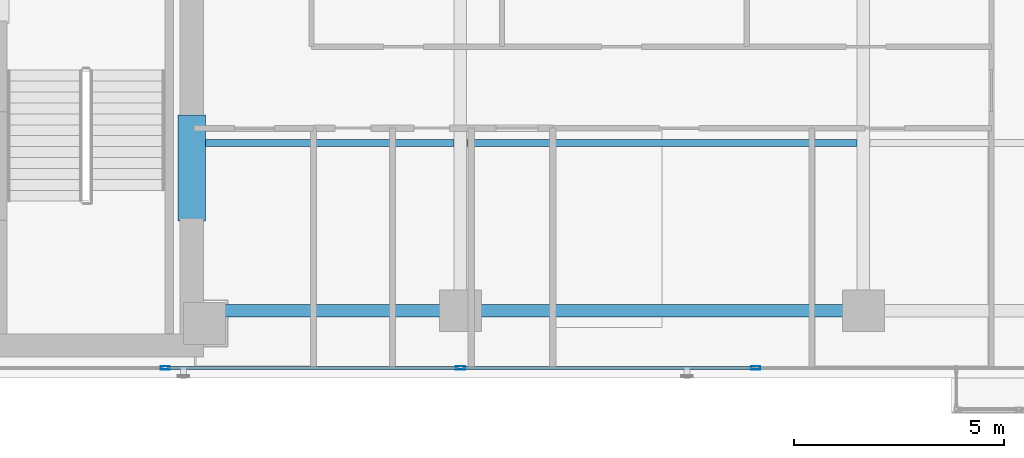
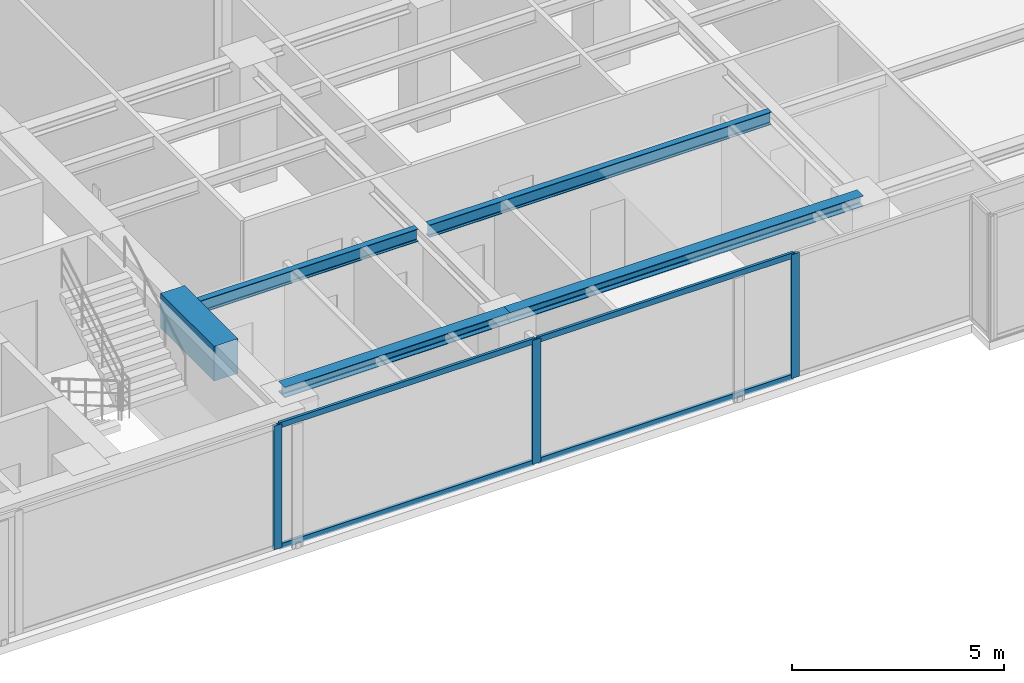
# One storey, part 4 of 23: 7 members, 5 beams, 1 element without a shape of its own.
"""IFC4 building model written with IfcOpenShell, lengths in metres."""

import ifcopenshell
import ifcopenshell.guid

model = None  # the IFC model being written
_history = None  # IfcOwnerHistory: only IFC2X3 demands one
_inside = {}  # id of a spatial element -> (the spatial element, [elements in it])
_under = {}  # id of a project, library or spatial element -> (it, [spatial elements below it])
_declared = {}  # id of a project -> (the project, [libraries it declares])
_typed = {}  # id of a type object -> (the type object, [elements of that type])
_made_of = {}  # id of a material, layer set ... -> (it, [elements and type objects made of it])


def new_model(schema):
    """Start an empty IFC model of exactly this schema.

    Asked for "IFC4X3", IfcOpenShell would pick the latest addendum, in which some entities
    have other attributes; the version numbers below select the first issue.
    IFC2X3 requires an IfcOwnerHistory on every rooted entity: one is made here for all.
    """
    global model, _history
    if schema == "IFC4X3":
        model = ifcopenshell.file(schema_version=(4, 3, 0, 0))
    else:
        model = ifcopenshell.file(schema=schema)
    _inside.clear()
    _under.clear()
    _declared.clear()
    _typed.clear()
    _made_of.clear()
    _history = None
    if model.schema == "IFC2X3":
        org = make("IfcOrganization", Name="unknown")
        user = make(
            "IfcPersonAndOrganization",
            ThePerson=make("IfcPerson", FamilyName="unknown"),
            TheOrganization=org,
        )
        app = make(
            "IfcApplication",
            ApplicationDeveloper=org,
            Version="unknown",
            ApplicationFullName="unknown",
            ApplicationIdentifier="unknown",
        )
        _history = make(
            "IfcOwnerHistory",
            OwningUser=user,
            OwningApplication=app,
            ChangeAction="ADDED",
            CreationDate=0,
        )
    return model


def make(cls, **values):
    """One entity of the class cls with the attributes given. An attribute that is None is left unset."""
    return model.create_entity(
        cls, **{name: value for name, value in values.items() if value is not None}
    )


def rooted(cls, **values):
    """An entity with a GlobalId (a new one), such as an element, a storey or a relation."""
    return make(cls, GlobalId=ifcopenshell.guid.new(), OwnerHistory=_history, **values)


def si_unit(unit_type, name, prefix=None):
    """IfcSIUnit, for example si_unit("LENGTHUNIT", "METRE", prefix="MILLI")."""
    return make("IfcSIUnit", UnitType=unit_type, Prefix=prefix, Name=name)


def assignment(units):
    """IfcUnitAssignment: the units of a project."""
    return None if units is None else make("IfcUnitAssignment", Units=units)


def point(xyz):
    """IfcCartesianPoint."""
    return None if xyz is None else make("IfcCartesianPoint", Coordinates=xyz)


def direction(xyz):
    """IfcDirection."""
    return None if xyz is None else make("IfcDirection", DirectionRatios=xyz)


def frame(location, z_axis=None, x_axis=None):
    """IfcAxis2Placement3D, a coordinate frame: its origin and axes. An axis left out is left unset."""
    return make(
        "IfcAxis2Placement3D",
        Location=point(location),
        Axis=direction(z_axis),
        RefDirection=direction(x_axis),
    )


def frame_2d(location, x_axis=None):
    """IfcAxis2Placement2D, a coordinate frame in the plane: its origin and x axis."""
    return make(
        "IfcAxis2Placement2D", Location=point(location), RefDirection=direction(x_axis)
    )


def origin():
    """The frame at (0, 0, 0) with its axes left unset."""
    return frame((0.0, 0.0, 0.0))


def origin_with_axes():
    """The frame at (0, 0, 0) with the z axis (0, 0, 1) and the x axis (1, 0, 0) written out."""
    return frame((0.0, 0.0, 0.0), z_axis=(0.0, 0.0, 1.0), x_axis=(1.0, 0.0, 0.0))


def origin_2d():
    """The frame at (0, 0) in the plane with its x axis left unset."""
    return frame_2d((0.0, 0.0))


def place(relative_to, where):
    """IfcLocalPlacement: puts the frame where relative to a parent placement (None: the world)."""
    return make(
        "IfcLocalPlacement", PlacementRelTo=relative_to, RelativePlacement=where
    )


def context(
    kind, dimensions, precision=None, world=None, true_north=None, identifier=None
):
    """IfcGeometricRepresentationContext, for example the 3D "Model" context."""
    return make(
        "IfcGeometricRepresentationContext",
        ContextIdentifier=identifier,
        ContextType=kind,
        CoordinateSpaceDimension=dimensions,
        Precision=precision,
        WorldCoordinateSystem=world,
        TrueNorth=true_north,
    )


def subcontext(parent, identifier, kind, view, scale=None):
    """IfcGeometricRepresentationSubContext, for example "Body" below "Model"."""
    return make(
        "IfcGeometricRepresentationSubContext",
        ContextIdentifier=identifier,
        ContextType=kind,
        ParentContext=parent,
        TargetScale=scale,
        TargetView=view,
    )


def project(units=None, contexts=None):
    """IfcProject with its units and contexts."""
    return rooted(
        "IfcProject",
        Name="project",
        RepresentationContexts=contexts,
        UnitsInContext=assignment(units),
    )


def spatial(cls, under=None, at=None, **own):
    """A site, building, storey or space (cls), placed at a placement, below another one or the project."""
    s = rooted(cls, ObjectPlacement=at, **own)
    if under is not None:
        _under.setdefault(under.id(), (under, []))[1].append(s)
    return s


def profile(cls, at=None, kind="AREA", **sizes):
    """A parametric profile (cls). Its sizes go by their IFC names, for example OverallWidth=200.0."""
    return make(cls, ProfileType=kind, Position=at, **sizes)


def rectangle(**sizes):
    """IfcRectangleProfileDef."""
    return profile("IfcRectangleProfileDef", **sizes)


def hollow_rectangle(**sizes):
    """IfcRectangleHollowProfileDef."""
    return profile("IfcRectangleHollowProfileDef", **sizes)


def i_section(**sizes):
    """IfcIShapeProfileDef."""
    return profile("IfcIShapeProfileDef", **sizes)


def extrude(swept, where, along, depth):
    """IfcExtrudedAreaSolid: the profile swept, set in the frame where, extruded along a direction by depth."""
    return make(
        "IfcExtrudedAreaSolid",
        SweptArea=swept,
        Position=where,
        ExtrudedDirection=direction(along),
        Depth=depth,
    )


def shape(context_of_items, identifier, shape_type, items):
    """IfcShapeRepresentation: the items that make up one representation, for example the "Body"."""
    return make(
        "IfcShapeRepresentation",
        ContextOfItems=context_of_items,
        RepresentationIdentifier=identifier,
        RepresentationType=shape_type,
        Items=items,
    )


def source(mapping_origin, context_of_items, identifier, shape_type, items):
    """IfcRepresentationMap: a shape defined once, which mapped items show again and again."""
    return make(
        "IfcRepresentationMap",
        MappingOrigin=mapping_origin,
        MappedRepresentation=shape(context_of_items, identifier, shape_type, items),
    )


def transform(
    local_origin,
    x_axis=None,
    y_axis=None,
    z_axis=None,
    scale=None,
    scale2=None,
    scale3=None,
    uniform=True,
):
    """IfcCartesianTransformationOperator3D, or its non-uniform kind. x_axis, y_axis, z_axis: its Axis1, 2, 3."""
    if uniform:
        return make(
            "IfcCartesianTransformationOperator3D",
            Axis1=direction(x_axis),
            Axis2=direction(y_axis),
            LocalOrigin=point(local_origin),
            Scale=scale,
            Axis3=direction(z_axis),
        )
    return make(
        "IfcCartesianTransformationOperator3DnonUniform",
        Axis1=direction(x_axis),
        Axis2=direction(y_axis),
        LocalOrigin=point(local_origin),
        Scale=scale,
        Axis3=direction(z_axis),
        Scale2=scale2,
        Scale3=scale3,
    )


def mapped(mapping_source, mapping_target):
    """IfcMappedItem: shows the shape of a source again, moved by a transform."""
    return make(
        "IfcMappedItem", MappingSource=mapping_source, MappingTarget=mapping_target
    )


def material(Name=None, Category=None):
    """IfcMaterial."""
    return make("IfcMaterial", Name=Name, Category=Category)


def layer(
    of_material, thickness, ventilated=None, Name=None, Category=None, Priority=None
):
    """IfcMaterialLayer: one layer of a wall or slab, of a material (None: an air gap)."""
    return make(
        "IfcMaterialLayer",
        Material=of_material,
        LayerThickness=thickness,
        IsVentilated=ventilated,
        Name=Name,
        Category=Category,
        Priority=Priority,
    )


def layer_set(layers, Name=None):
    """IfcMaterialLayerSet."""
    return make("IfcMaterialLayerSet", MaterialLayers=layers, LayerSetName=Name)


def material_profile(
    of_material, cross_section, Name=None, Category=None, Priority=None
):
    """IfcMaterialProfile: a cross section and its material."""
    return make(
        "IfcMaterialProfile",
        Name=Name,
        Material=of_material,
        Profile=cross_section,
        Priority=Priority,
        Category=Category,
    )


def profile_set(profiles, Name=None, composite=None):
    """IfcMaterialProfileSet."""
    return make(
        "IfcMaterialProfileSet",
        Name=Name,
        MaterialProfiles=profiles,
        CompositeProfile=composite,
    )


def made_of(thing, what):
    """Note that an element or type object is made of a material, layer set ...; save() writes the relation."""
    if what is not None:
        _made_of.setdefault(what.id(), (what, []))[1].append(thing)
    return thing


def type_object(cls, material=None, **own):
    """A type object (cls), such as IfcWallType, which elements share."""
    return made_of(rooted(cls, **own), material)


def element(
    cls,
    number,
    at=None,
    inside=None,
    cuts=None,
    type_object=None,
    material=None,
    context=None,
    identifier="Body",
    shape_type=None,
    held_by="IfcProductDefinitionShape",
    body=None,
    shapes=None,
    **own,
):
    """One element of the class cls, such as IfcWall. Its Tag is "e" and its number.

    at: its placement. inside: the storey or other place that contains it. cuts: it is an
    opening in that element (IfcRelVoidsElement). A single representation is given by context,
    identifier, shape_type and body (its items); several are given by shapes. held_by: the class
    of the entity that holds the representations. save() writes the other relations.
    """
    e = rooted(cls, Tag="e%d" % number, ObjectPlacement=at, **own)
    if body is not None:
        shapes = [shape(context, identifier, shape_type, body)]
    if shapes is not None:
        e.Representation = make(held_by, Representations=shapes)
    if inside is not None:
        _inside.setdefault(inside.id(), (inside, []))[1].append(e)
    if cuts is not None:
        rooted(
            "IfcRelVoidsElement", RelatingBuildingElement=cuts, RelatedOpeningElement=e
        )
    if type_object is not None:
        _typed.setdefault(type_object.id(), (type_object, []))[1].append(e)
    return made_of(e, material)


def aggregate(whole, parts):
    """IfcRelAggregates: a whole, such as a stair, and the parts it consists of."""
    return rooted("IfcRelAggregates", RelatingObject=whole, RelatedObjects=parts)


def save(model, path):
    """Write the relations noted so far, then the file.

    IfcRelAggregates (storeys below a building ...), IfcRelContainedInSpatialStructure (elements
    in a storey), IfcRelDefinesByType, IfcRelAssociatesMaterial and IfcRelDeclares: one each for
    every whole, place, type object, material and project.
    """
    for whole, parts in _under.values():
        aggregate(whole, parts)
    for where, things in _inside.values():
        rooted(
            "IfcRelContainedInSpatialStructure",
            RelatedElements=things,
            RelatingStructure=where,
        )
    for kind, things in _typed.values():
        rooted("IfcRelDefinesByType", RelatedObjects=things, RelatingType=kind)
    for what, things in _made_of.values():
        rooted("IfcRelAssociatesMaterial", RelatedObjects=things, RelatingMaterial=what)
    for by, libraries in _declared.values():
        rooted("IfcRelDeclares", RelatingContext=by, RelatedDefinitions=libraries)
    model.write(path)


model = new_model("IFC4")

# Units and contexts
model_context = context("Model", 3, precision=1e-05, world=origin(), true_north=direction((0.0, 1.0)))
body_context = subcontext(model_context, "Body", "Model", "MODEL_VIEW")
ifc_project = project(units=[si_unit("LENGTHUNIT", "METRE"), si_unit("AREAUNIT", "SQUARE_METRE"), si_unit("VOLUMEUNIT", "CUBIC_METRE"), si_unit("PLANEANGLEUNIT", "RADIAN"), si_unit("MASSUNIT", "GRAM", prefix="KILO")], contexts=[model_context])

# Site, building, storey
site_placement = place(None, origin())
site = spatial("IfcSite", under=ifc_project, at=site_placement, CompositionType="ELEMENT")
building_placement = place(site_placement, origin())
building = spatial("IfcBuilding", under=site, at=building_placement, Name="Kolvaren Waterfront Exchange", CompositionType="ELEMENT")
storey_placement = place(building_placement, frame((0.0, 0.0, 227.300048828125)))
storey = spatial("IfcBuildingStorey", under=building, at=storey_placement, Name="L58", CompositionType="ELEMENT", Elevation=227.300048828125)

# Beams
ifc_material_1 = material(Name="Steel S355", Category="steel")
ifc_material_profile_1 = material_profile(ifc_material_1, i_section(OverallWidth=0.300048828125, OverallDepth=0.300048828125, WebThickness=0.010986328125, FlangeThickness=0.01904296875, FilletRadius=0.027099609375, at=origin_2d()), Name="HEB300")
ifc_profile_set_1 = profile_set([ifc_material_profile_1], Name="Steel S355")
beam_type_1 = type_object("IfcBeamType", Name="STR-BM-HEB300", PredefinedType="SPANDREL", material=ifc_profile_set_1)
beam_1_placement = place(storey_placement, frame((21.074951171875, 5.199951171875, 3.409912109375), z_axis=(1.0, 0.0, 0.0), x_axis=(0.0, 1.0, 0.0)))
element("IfcBeam", 1, at=beam_1_placement, inside=storey, type_object=beam_type_1, Name="L58 east-arm spandrel S1", PredefinedType="SPANDREL", context=body_context, shape_type="SweptSolid", body=[
    extrude(i_section(OverallWidth=0.300048828125, OverallDepth=0.300048828125, WebThickness=0.010986328125, FlangeThickness=0.01904296875, FilletRadius=0.027099609375, at=origin_2d()), origin(), (0.0, 0.0, 1.0), 6.125),
])
beam_2_placement = place(storey_placement, frame((27.199951171875, 5.199951171875, 3.409912109375), z_axis=(1.0, 0.0, 0.0), x_axis=(0.0, 1.0, 0.0)))
element("IfcBeam", 2, at=beam_2_placement, inside=storey, type_object=beam_type_1, Name="L58 east-arm spandrel S2", PredefinedType="SPANDREL", context=body_context, shape_type="SweptSolid", body=[
    extrude(i_section(OverallWidth=0.300048828125, OverallDepth=0.300048828125, WebThickness=0.010986328125, FlangeThickness=0.01904296875, FilletRadius=0.027099609375, at=origin_2d()), origin(), (0.0, 0.0, 1.0), 9.60009765625),
])
ifc_material_profile_2 = material_profile(ifc_material_1, i_section(OverallWidth=0.169921875, OverallDepth=0.360107421875, WebThickness=0.008056640625, FlangeThickness=0.0126953125, FilletRadius=0.01806640625, at=origin_2d()), Name="IPE360")
ifc_profile_set_2 = profile_set([ifc_material_profile_2], Name="Steel S355")
beam_type_2 = type_object("IfcBeamType", Name="STR-BM-IPE360", PredefinedType="JOIST", material=ifc_profile_set_2)
beam_3_placement = place(storey_placement, frame((21.10009765625, 9.199951171875, 3.3798828125), z_axis=(1.0, 0.0, 0.0), x_axis=(0.0, 1.0, 0.0)))
element("IfcBeam", 3, at=beam_3_placement, inside=storey, type_object=beam_type_2, Name="L58 east-arm composite joist 1B", PredefinedType="JOIST", context=body_context, shape_type="SweptSolid", body=[
    extrude(i_section(OverallWidth=0.169921875, OverallDepth=0.360107421875, WebThickness=0.008056640625, FlangeThickness=0.0126953125, FilletRadius=0.01806640625, at=origin_2d()), origin(), (0.0, 0.0, 1.0), 5.947998046875),
])
beam_4_placement = place(storey_placement, frame((27.35205078125, 9.199951171875, 3.3798828125), z_axis=(1.0, 0.0, 0.0), x_axis=(0.0, 1.0, 0.0)))
element("IfcBeam", 4, at=beam_4_placement, inside=storey, type_object=beam_type_2, Name="L58 east-arm composite joist 2B", PredefinedType="JOIST", context=body_context, shape_type="SweptSolid", body=[
    extrude(i_section(OverallWidth=0.169921875, OverallDepth=0.360107421875, WebThickness=0.008056640625, FlangeThickness=0.0126953125, FilletRadius=0.01806640625, at=origin_2d()), origin(), (0.0, 0.0, 1.0), 9.2958984375),
])
ifc_material_2 = material(Name="Concrete C60/75", Category="concrete")
ifc_material_profile_3 = material_profile(ifc_material_2, rectangle(XDim=0.64990234375, YDim=1.0, at=origin_2d()), Name="RC-CB-1000x650")
ifc_profile_set_3 = profile_set([ifc_material_profile_3], Name="Concrete C60/75")
beam_type_3 = type_object("IfcBeamType", Name="STR-CB-1000", PredefinedType="SPANDREL", material=ifc_profile_set_3)
beam_5_placement = place(storey_placement, frame((20.800048828125, 7.340087890625, 3.06005859375), z_axis=(0.0, 1.0, 0.0), x_axis=(-1.0, 0.0, 0.0)))
element("IfcBeam", 5, at=beam_5_placement, inside=storey, type_object=beam_type_3, Name="L58 core coupling beam 1", PredefinedType="SPANDREL", context=body_context, shape_type="SweptSolid", body=[
    extrude(rectangle(XDim=0.64990234375, YDim=1.0, at=origin_2d()), origin(), (0.0, 0.0, 1.0), 2.52001953125),
])

# Curtain wall, members
ifc_material_3 = material(Name="Anodised bronze aluminium 6063-T6", Category="aluminium")
ifc_layer = layer(ifc_material_3, 0.219970703125, Name="Anodised bronze aluminium 6063-T6")
ifc_layer_set = layer_set([ifc_layer], Name="Anodised bronze aluminium 6063-T6")
curtain_wall_type = type_object("IfcCurtainWallType", Name="ARC-CW-SYS1", PredefinedType="USERDEFINED", material=ifc_layer_set)
curtain_wall_placement = place(storey_placement, origin())
curtain_wall = element("IfcCurtainWall", 6, at=curtain_wall_placement, inside=storey, type_object=curtain_wall_type, Name="L58 stick curtain wall CW1 (CW-L58-S)", ObjectType="STICK CURTAIN WALL", PredefinedType="USERDEFINED")
ifc_material_4 = material(Name="Anodised aluminium 6063-T6", Category="aluminium")
ifc_material_profile_4 = material_profile(ifc_material_4, hollow_rectangle(XDim=0.080078125, YDim=0.219970703125, WallThickness=0.0048828125, at=origin_2d()), Name="ALU-MUL-220x80x5")
ifc_profile_set_4 = profile_set([ifc_material_profile_4], Name="Anodised aluminium 6063-T6")
member_type_1 = type_object("IfcMemberType", Name="ARC-CWM-220", PredefinedType="MULLION", material=ifc_profile_set_4)
shared_shape_1 = source(origin_with_axes(), body_context, "Body", "SweptSolid", [
    extrude(hollow_rectangle(XDim=0.080078125, YDim=0.219970703125, WallThickness=0.0048828125, at=origin_2d()), origin(), (0.0, 0.0, 1.0), 3.56005859375),
])
member_1_placement = place(storey_placement, frame((20.166748046875, 3.840087890625, 0.0), z_axis=(0.0, 0.0, 1.0), x_axis=(0.0, 1.0, 0.0)))
member_1 = element("IfcMember", 7, at=member_1_placement, type_object=member_type_1, Name="CW1 mullion 3", PredefinedType="MULLION", context=body_context, shape_type="MappedRepresentation", body=[
    mapped(shared_shape_1, transform((0.0, 0.0, 0.0), x_axis=(1.0, 0.0, 0.0), y_axis=(0.0, 1.0, 0.0), z_axis=(0.0, 0.0, 1.0), scale=1.0)),
])
member_2_placement = place(storey_placement, frame((27.199951171875, 3.840087890625, 0.0), z_axis=(0.0, 0.0, 1.0), x_axis=(0.0, 1.0, 0.0)))
member_2 = element("IfcMember", 8, at=member_2_placement, type_object=member_type_1, Name="CW1 mullion 4", PredefinedType="MULLION", context=body_context, shape_type="MappedRepresentation", body=[
    mapped(shared_shape_1, transform((0.0, 0.0, 0.0), x_axis=(1.0, 0.0, 0.0), y_axis=(0.0, 1.0, 0.0), z_axis=(0.0, 0.0, 1.0), scale=1.0)),
])
member_3_placement = place(storey_placement, frame((34.2333984375, 3.840087890625, 0.0), z_axis=(0.0, 0.0, 1.0), x_axis=(0.0, 1.0, 0.0)))
member_3 = element("IfcMember", 9, at=member_3_placement, type_object=member_type_1, Name="CW1 mullion 5", PredefinedType="MULLION", context=body_context, shape_type="MappedRepresentation", body=[
    mapped(shared_shape_1, transform((0.0, 0.0, 0.0), x_axis=(1.0, 0.0, 0.0), y_axis=(0.0, 1.0, 0.0), z_axis=(0.0, 0.0, 1.0), scale=1.0)),
])
ifc_material_profile_5 = material_profile(ifc_material_4, hollow_rectangle(XDim=0.074951171875, YDim=0.159912109375, WallThickness=0.00439453125, at=origin_2d()), Name="ALU-TRN-160x75x4.5")
ifc_profile_set_5 = profile_set([ifc_material_profile_5], Name="Anodised aluminium 6063-T6")
member_type_2 = type_object("IfcMemberType", Name="ARC-CWT-160", PredefinedType="USERDEFINED", material=ifc_profile_set_5)
shared_shape_2 = source(origin_with_axes(), body_context, "Body", "SweptSolid", [
    extrude(hollow_rectangle(XDim=0.074951171875, YDim=0.159912109375, WallThickness=0.00439453125, at=origin_2d()), origin(), (0.0, 0.0, 1.0), 6.953369140625),
])
member_4_placement = place(storey_placement, frame((27.239990234375, 3.840087890625, 0.037353515625), z_axis=(1.0, 0.0, 0.0), x_axis=(0.0, 1.0, 0.0)))
member_4 = element("IfcMember", 10, at=member_4_placement, type_object=member_type_2, Name="CW1 transom 4.1", ObjectType="TRANSOM", PredefinedType="USERDEFINED", context=body_context, shape_type="MappedRepresentation", body=[
    mapped(shared_shape_2, transform((0.0, 0.0, 0.0), x_axis=(1.0, 0.0, 0.0), y_axis=(0.0, 1.0, 0.0), z_axis=(0.0, 0.0, 1.0), scale=1.0)),
])
member_5_placement = place(storey_placement, frame((27.239990234375, 3.840087890625, 3.5224609375), z_axis=(1.0, 0.0, 0.0), x_axis=(0.0, 1.0, 0.0)))
member_5 = element("IfcMember", 11, at=member_5_placement, type_object=member_type_2, Name="CW1 transom 4.2", ObjectType="TRANSOM", PredefinedType="USERDEFINED", context=body_context, shape_type="MappedRepresentation", body=[
    mapped(shared_shape_2, transform((0.0, 0.0, 0.0), x_axis=(1.0, 0.0, 0.0), y_axis=(0.0, 1.0, 0.0), z_axis=(0.0, 0.0, 1.0), scale=1.0)),
])
shared_shape_3 = source(origin_with_axes(), body_context, "Body", "SweptSolid", [
    extrude(hollow_rectangle(XDim=0.074951171875, YDim=0.159912109375, WallThickness=0.00439453125, at=origin_2d()), origin(), (0.0, 0.0, 1.0), 6.953125),
])
member_6_placement = place(storey_placement, frame((20.206787109375, 3.840087890625, 0.037353515625), z_axis=(1.0, 0.0, 0.0), x_axis=(0.0, 1.0, 0.0)))
member_6 = element("IfcMember", 12, at=member_6_placement, type_object=member_type_2, Name="CW1 transom 3.1", ObjectType="TRANSOM", PredefinedType="USERDEFINED", context=body_context, shape_type="MappedRepresentation", body=[
    mapped(shared_shape_3, transform((0.0, 0.0, 0.0), x_axis=(1.0, 0.0, 0.0), y_axis=(0.0, 1.0, 0.0), z_axis=(0.0, 0.0, 1.0), scale=1.0)),
])
member_7_placement = place(storey_placement, frame((20.206787109375, 3.840087890625, 3.5224609375), z_axis=(1.0, 0.0, 0.0), x_axis=(0.0, 1.0, 0.0)))
member_7 = element("IfcMember", 13, at=member_7_placement, type_object=member_type_2, Name="CW1 transom 3.2", ObjectType="TRANSOM", PredefinedType="USERDEFINED", context=body_context, shape_type="MappedRepresentation", body=[
    mapped(shared_shape_3, transform((0.0, 0.0, 0.0), x_axis=(1.0, 0.0, 0.0), y_axis=(0.0, 1.0, 0.0), z_axis=(0.0, 0.0, 1.0), scale=1.0)),
])
aggregate(curtain_wall, [member_1, member_2, member_3, member_6, member_7, member_4, member_5])

save(model, "model.ifc")
